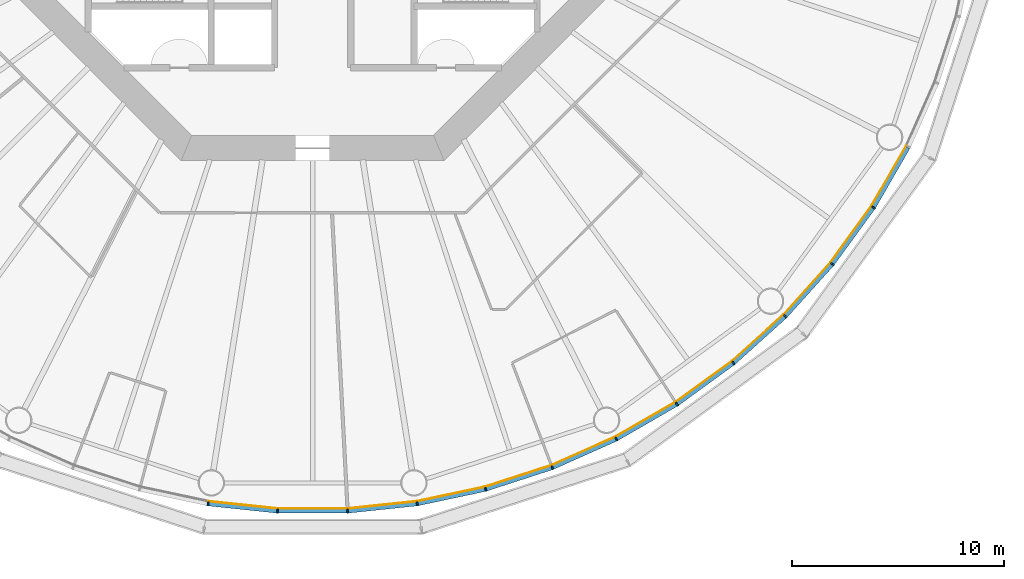
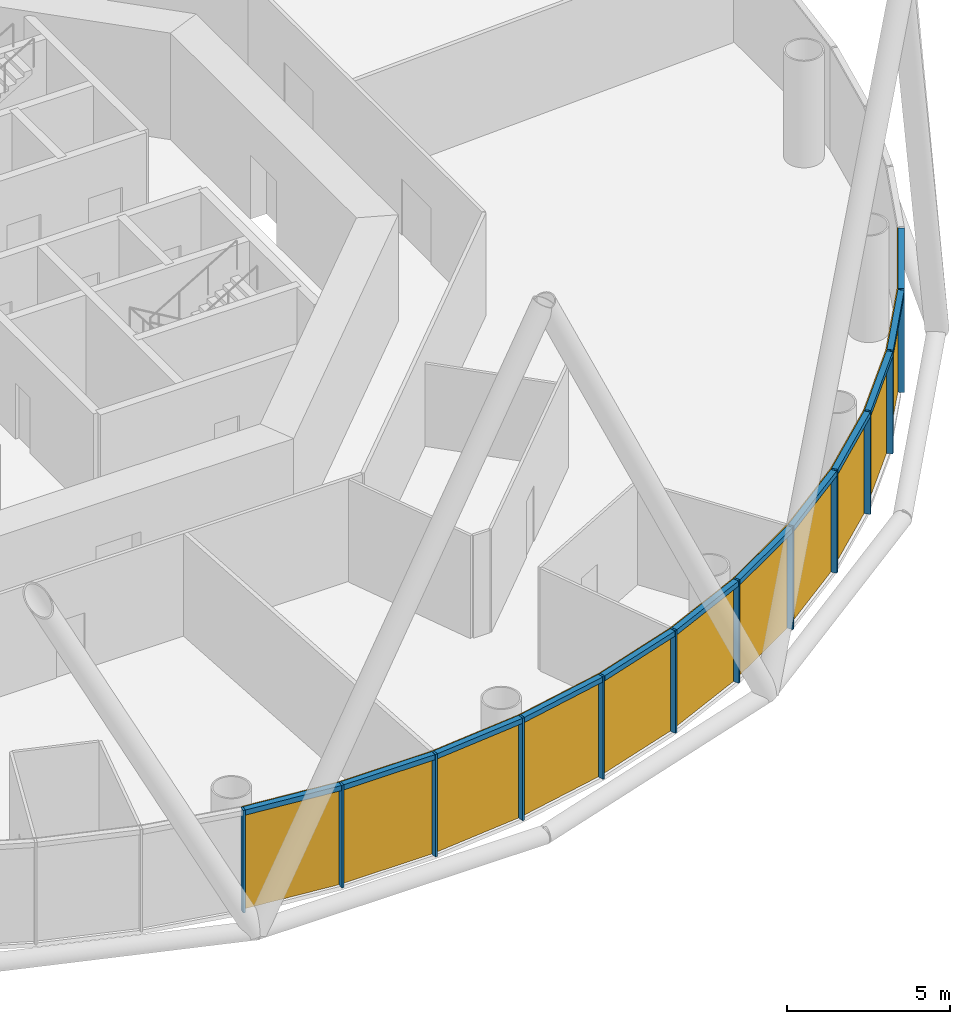
# One storey, part 8 of 13: 24 members, 4 curtain walls.
"""IFC4 building model written with IfcOpenShell, lengths in metres."""

import ifcopenshell
import ifcopenshell.guid

model = None  # the IFC model being written
_history = None  # IfcOwnerHistory: only IFC2X3 demands one
_inside = {}  # id of a spatial element -> (the spatial element, [elements in it])
_under = {}  # id of a project, library or spatial element -> (it, [spatial elements below it])
_declared = {}  # id of a project -> (the project, [libraries it declares])
_typed = {}  # id of a type object -> (the type object, [elements of that type])
_made_of = {}  # id of a material, layer set ... -> (it, [elements and type objects made of it])


def new_model(schema):
    """Start an empty IFC model of exactly this schema.

    Asked for "IFC4X3", IfcOpenShell would pick the latest addendum, in which some entities
    have other attributes; the version numbers below select the first issue.
    IFC2X3 requires an IfcOwnerHistory on every rooted entity: one is made here for all.
    """
    global model, _history
    if schema == "IFC4X3":
        model = ifcopenshell.file(schema_version=(4, 3, 0, 0))
    else:
        model = ifcopenshell.file(schema=schema)
    _inside.clear()
    _under.clear()
    _declared.clear()
    _typed.clear()
    _made_of.clear()
    _history = None
    if model.schema == "IFC2X3":
        org = make("IfcOrganization", Name="unknown")
        user = make(
            "IfcPersonAndOrganization",
            ThePerson=make("IfcPerson", FamilyName="unknown"),
            TheOrganization=org,
        )
        app = make(
            "IfcApplication",
            ApplicationDeveloper=org,
            Version="unknown",
            ApplicationFullName="unknown",
            ApplicationIdentifier="unknown",
        )
        _history = make(
            "IfcOwnerHistory",
            OwningUser=user,
            OwningApplication=app,
            ChangeAction="ADDED",
            CreationDate=0,
        )
    return model


def make(cls, **values):
    """One entity of the class cls with the attributes given. An attribute that is None is left unset."""
    return model.create_entity(
        cls, **{name: value for name, value in values.items() if value is not None}
    )


def rooted(cls, **values):
    """An entity with a GlobalId (a new one), such as an element, a storey or a relation."""
    return make(cls, GlobalId=ifcopenshell.guid.new(), OwnerHistory=_history, **values)


def si_unit(unit_type, name, prefix=None):
    """IfcSIUnit, for example si_unit("LENGTHUNIT", "METRE", prefix="MILLI")."""
    return make("IfcSIUnit", UnitType=unit_type, Prefix=prefix, Name=name)


def assignment(units):
    """IfcUnitAssignment: the units of a project."""
    return None if units is None else make("IfcUnitAssignment", Units=units)


def point(xyz):
    """IfcCartesianPoint."""
    return None if xyz is None else make("IfcCartesianPoint", Coordinates=xyz)


def direction(xyz):
    """IfcDirection."""
    return None if xyz is None else make("IfcDirection", DirectionRatios=xyz)


def frame(location, z_axis=None, x_axis=None):
    """IfcAxis2Placement3D, a coordinate frame: its origin and axes. An axis left out is left unset."""
    return make(
        "IfcAxis2Placement3D",
        Location=point(location),
        Axis=direction(z_axis),
        RefDirection=direction(x_axis),
    )


def frame_2d(location, x_axis=None):
    """IfcAxis2Placement2D, a coordinate frame in the plane: its origin and x axis."""
    return make(
        "IfcAxis2Placement2D", Location=point(location), RefDirection=direction(x_axis)
    )


def origin():
    """The frame at (0, 0, 0) with its axes left unset."""
    return frame((0.0, 0.0, 0.0))


def origin_2d():
    """The frame at (0, 0) in the plane with its x axis left unset."""
    return frame_2d((0.0, 0.0))


def place(relative_to, where):
    """IfcLocalPlacement: puts the frame where relative to a parent placement (None: the world)."""
    return make(
        "IfcLocalPlacement", PlacementRelTo=relative_to, RelativePlacement=where
    )


def context(
    kind, dimensions, precision=None, world=None, true_north=None, identifier=None
):
    """IfcGeometricRepresentationContext, for example the 3D "Model" context."""
    return make(
        "IfcGeometricRepresentationContext",
        ContextIdentifier=identifier,
        ContextType=kind,
        CoordinateSpaceDimension=dimensions,
        Precision=precision,
        WorldCoordinateSystem=world,
        TrueNorth=true_north,
    )


def subcontext(parent, identifier, kind, view, scale=None):
    """IfcGeometricRepresentationSubContext, for example "Body" below "Model"."""
    return make(
        "IfcGeometricRepresentationSubContext",
        ContextIdentifier=identifier,
        ContextType=kind,
        ParentContext=parent,
        TargetScale=scale,
        TargetView=view,
    )


def project(units=None, contexts=None):
    """IfcProject with its units and contexts."""
    return rooted(
        "IfcProject",
        Name="project",
        RepresentationContexts=contexts,
        UnitsInContext=assignment(units),
    )


def spatial(cls, under=None, at=None, **own):
    """A site, building, storey or space (cls), placed at a placement, below another one or the project."""
    s = rooted(cls, ObjectPlacement=at, **own)
    if under is not None:
        _under.setdefault(under.id(), (under, []))[1].append(s)
    return s


def polyline(points):
    """IfcPolyline through the points."""
    return make("IfcPolyline", Points=[point(p) for p in points])


def profile(cls, at=None, kind="AREA", **sizes):
    """A parametric profile (cls). Its sizes go by their IFC names, for example OverallWidth=200.0."""
    return make(cls, ProfileType=kind, Position=at, **sizes)


def rectangle(**sizes):
    """IfcRectangleProfileDef."""
    return profile("IfcRectangleProfileDef", **sizes)


def outline(outer, holes=None, kind="AREA"):
    """IfcArbitraryClosedProfileDef: a profile drawn as a closed curve; with holes, ...WithVoids."""
    if holes is None:
        return make("IfcArbitraryClosedProfileDef", ProfileType=kind, OuterCurve=outer)
    return make(
        "IfcArbitraryProfileDefWithVoids",
        ProfileType=kind,
        OuterCurve=outer,
        InnerCurves=holes,
    )


def extrude(swept, where, along, depth):
    """IfcExtrudedAreaSolid: the profile swept, set in the frame where, extruded along a direction by depth."""
    return make(
        "IfcExtrudedAreaSolid",
        SweptArea=swept,
        Position=where,
        ExtrudedDirection=direction(along),
        Depth=depth,
    )


def shape(context_of_items, identifier, shape_type, items):
    """IfcShapeRepresentation: the items that make up one representation, for example the "Body"."""
    return make(
        "IfcShapeRepresentation",
        ContextOfItems=context_of_items,
        RepresentationIdentifier=identifier,
        RepresentationType=shape_type,
        Items=items,
    )


def material(Name=None, Category=None):
    """IfcMaterial."""
    return make("IfcMaterial", Name=Name, Category=Category)


def layer(
    of_material, thickness, ventilated=None, Name=None, Category=None, Priority=None
):
    """IfcMaterialLayer: one layer of a wall or slab, of a material (None: an air gap)."""
    return make(
        "IfcMaterialLayer",
        Material=of_material,
        LayerThickness=thickness,
        IsVentilated=ventilated,
        Name=Name,
        Category=Category,
        Priority=Priority,
    )


def layer_set(layers, Name=None):
    """IfcMaterialLayerSet."""
    return make("IfcMaterialLayerSet", MaterialLayers=layers, LayerSetName=Name)


def material_profile(
    of_material, cross_section, Name=None, Category=None, Priority=None
):
    """IfcMaterialProfile: a cross section and its material."""
    return make(
        "IfcMaterialProfile",
        Name=Name,
        Material=of_material,
        Profile=cross_section,
        Priority=Priority,
        Category=Category,
    )


def profile_set(profiles, Name=None, composite=None):
    """IfcMaterialProfileSet."""
    return make(
        "IfcMaterialProfileSet",
        Name=Name,
        MaterialProfiles=profiles,
        CompositeProfile=composite,
    )


def made_of(thing, what):
    """Note that an element or type object is made of a material, layer set ...; save() writes the relation."""
    if what is not None:
        _made_of.setdefault(what.id(), (what, []))[1].append(thing)
    return thing


def type_object(cls, material=None, **own):
    """A type object (cls), such as IfcWallType, which elements share."""
    return made_of(rooted(cls, **own), material)


def element(
    cls,
    number,
    at=None,
    inside=None,
    cuts=None,
    type_object=None,
    material=None,
    context=None,
    identifier="Body",
    shape_type=None,
    held_by="IfcProductDefinitionShape",
    body=None,
    shapes=None,
    **own,
):
    """One element of the class cls, such as IfcWall. Its Tag is "e" and its number.

    at: its placement. inside: the storey or other place that contains it. cuts: it is an
    opening in that element (IfcRelVoidsElement). A single representation is given by context,
    identifier, shape_type and body (its items); several are given by shapes. held_by: the class
    of the entity that holds the representations. save() writes the other relations.
    """
    e = rooted(cls, Tag="e%d" % number, ObjectPlacement=at, **own)
    if body is not None:
        shapes = [shape(context, identifier, shape_type, body)]
    if shapes is not None:
        e.Representation = make(held_by, Representations=shapes)
    if inside is not None:
        _inside.setdefault(inside.id(), (inside, []))[1].append(e)
    if cuts is not None:
        rooted(
            "IfcRelVoidsElement", RelatingBuildingElement=cuts, RelatedOpeningElement=e
        )
    if type_object is not None:
        _typed.setdefault(type_object.id(), (type_object, []))[1].append(e)
    return made_of(e, material)


def aggregate(whole, parts):
    """IfcRelAggregates: a whole, such as a stair, and the parts it consists of."""
    return rooted("IfcRelAggregates", RelatingObject=whole, RelatedObjects=parts)


def save(model, path):
    """Write the relations noted so far, then the file.

    IfcRelAggregates (storeys below a building ...), IfcRelContainedInSpatialStructure (elements
    in a storey), IfcRelDefinesByType, IfcRelAssociatesMaterial and IfcRelDeclares: one each for
    every whole, place, type object, material and project.
    """
    for whole, parts in _under.values():
        aggregate(whole, parts)
    for where, things in _inside.values():
        rooted(
            "IfcRelContainedInSpatialStructure",
            RelatedElements=things,
            RelatingStructure=where,
        )
    for kind, things in _typed.values():
        rooted("IfcRelDefinesByType", RelatedObjects=things, RelatingType=kind)
    for what, things in _made_of.values():
        rooted("IfcRelAssociatesMaterial", RelatedObjects=things, RelatingMaterial=what)
    for by, libraries in _declared.values():
        rooted("IfcRelDeclares", RelatingContext=by, RelatedDefinitions=libraries)
    model.write(path)


model = new_model("IFC4")

# Units and contexts
model_context = context("Model", 3, precision=1e-05, world=origin(), true_north=direction((0.0, 1.0)))
body_context = subcontext(model_context, "Body", "Model", "MODEL_VIEW")
ifc_project = project(units=[si_unit("LENGTHUNIT", "METRE"), si_unit("AREAUNIT", "SQUARE_METRE"), si_unit("VOLUMEUNIT", "CUBIC_METRE"), si_unit("PLANEANGLEUNIT", "RADIAN"), si_unit("MASSUNIT", "GRAM", prefix="KILO")], contexts=[model_context])

# Member
ifc_material_1 = material(Name="Anodised aluminium", Category="aluminium")
ifc_material_profile_1 = material_profile(ifc_material_1, rectangle(XDim=0.070068359375, YDim=0.199951171875, at=origin_2d()), Name="Mullion 70 x 200 mm anodised aluminium")
ifc_profile_set_1 = profile_set([ifc_material_profile_1], Name="Anodised aluminium")
member_type_1 = type_object("IfcMemberType", Name="Mullion 70 x 200 mm anodised aluminium", PredefinedType="MULLION", material=ifc_profile_set_1)
site_placement = place(None, origin())
building_placement = place(site_placement, origin())
storey_placement = place(building_placement, frame((0.0, 0.0, 96.0)))
member_1_placement = place(storey_placement, frame((85.056640625, 48.7890625, 0.0), z_axis=(0.0, 0.0, 1.0), x_axis=(0.987688340595, -0.15643446504, 0.0)))
member_1 = element("IfcMember", 1, at=member_1_placement, type_object=member_type_1, Name="MULLION L21-42", PredefinedType="MULLION", context=body_context, shape_type="SweptSolid", body=[
    extrude(rectangle(XDim=0.070068359375, YDim=0.199951171875, at=origin_2d()), origin(), (0.0, 0.0, 1.0), 3.85009765625),
])

member_2_placement = place(storey_placement, frame((88.34619140625, 48.443359375, 0.0), z_axis=(0.0, 0.0, 1.0), x_axis=(0.998629534755, -0.052335956243, 0.0)))
member_2 = element("IfcMember", 2, at=member_2_placement, type_object=member_type_1, Name="MULLION L21-43", PredefinedType="MULLION", context=body_context, shape_type="SweptSolid", body=[
    extrude(rectangle(XDim=0.070068359375, YDim=0.199951171875, at=origin_2d()), origin(), (0.0, 0.0, 1.0), 3.85009765625),
])

member_3_placement = place(storey_placement, frame((91.65380859375, 48.443359375, 0.0), z_axis=(0.0, 0.0, 1.0), x_axis=(0.998629534755, 0.052335956243, 0.0)))
member_3 = element("IfcMember", 3, at=member_3_placement, type_object=member_type_1, Name="MULLION L21-44", PredefinedType="MULLION", context=body_context, shape_type="SweptSolid", body=[
    extrude(rectangle(XDim=0.070068359375, YDim=0.199951171875, at=origin_2d()), origin(), (0.0, 0.0, 1.0), 3.85009765625),
])

member_4_placement = place(storey_placement, frame((94.943359375, 48.7890625, 0.0), z_axis=(0.0, 0.0, 1.0), x_axis=(0.987688340595, 0.15643446504, 0.0)))
member_4 = element("IfcMember", 4, at=member_4_placement, type_object=member_type_1, Name="MULLION L21-45", PredefinedType="MULLION", context=body_context, shape_type="SweptSolid", body=[
    extrude(rectangle(XDim=0.070068359375, YDim=0.199951171875, at=origin_2d()), origin(), (0.0, 0.0, 1.0), 3.85009765625),
])

member_5_placement = place(storey_placement, frame((98.1787109375, 49.476806640625, 0.0), z_axis=(0.0, 0.0, 1.0), x_axis=(0.965925826289, 0.258819045103, 0.0)))
member_5 = element("IfcMember", 5, at=member_5_placement, type_object=member_type_1, Name="MULLION L21-46", PredefinedType="MULLION", context=body_context, shape_type="SweptSolid", body=[
    extrude(rectangle(XDim=0.070068359375, YDim=0.199951171875, at=origin_2d()), origin(), (0.0, 0.0, 1.0), 3.85009765625),
])

member_6_placement = place(storey_placement, frame((101.324462890625, 50.498779296875, 0.0), z_axis=(0.0, 0.0, 1.0), x_axis=(0.933580426497, 0.358367949545, 0.0)))
member_6 = element("IfcMember", 6, at=member_6_placement, type_object=member_type_1, Name="MULLION L21-47", PredefinedType="MULLION", context=body_context, shape_type="SweptSolid", body=[
    extrude(rectangle(XDim=0.070068359375, YDim=0.199951171875, at=origin_2d()), origin(), (0.0, 0.0, 1.0), 3.85009765625),
])

member_7_placement = place(storey_placement, frame((104.34619140625, 51.84423828125, 0.0), z_axis=(0.0, 0.0, 1.0), x_axis=(0.891006524188, 0.45399049974, 0.0)))
member_7 = element("IfcMember", 7, at=member_7_placement, type_object=member_type_1, Name="MULLION L21-48", PredefinedType="MULLION", context=body_context, shape_type="SweptSolid", body=[
    extrude(rectangle(XDim=0.070068359375, YDim=0.199951171875, at=origin_2d()), origin(), (0.0, 0.0, 1.0), 3.85009765625),
])

member_8_placement = place(storey_placement, frame((107.210693359375, 53.498046875, 0.0), z_axis=(0.0, 0.0, 1.0), x_axis=(0.838670567945, 0.544639035015, 0.0)))
member_8 = element("IfcMember", 8, at=member_8_placement, type_object=member_type_1, Name="MULLION L21-49", PredefinedType="MULLION", context=body_context, shape_type="SweptSolid", body=[
    extrude(rectangle(XDim=0.070068359375, YDim=0.199951171875, at=origin_2d()), origin(), (0.0, 0.0, 1.0), 3.85009765625),
])

member_9_placement = place(storey_placement, frame((109.886474609375, 55.442138671875, 0.0), z_axis=(0.0, 0.0, 1.0), x_axis=(0.777145961457, 0.62932039105, 0.0)))
member_9 = element("IfcMember", 9, at=member_9_placement, type_object=member_type_1, Name="MULLION L21-50", PredefinedType="MULLION", context=body_context, shape_type="SweptSolid", body=[
    extrude(rectangle(XDim=0.070068359375, YDim=0.199951171875, at=origin_2d()), origin(), (0.0, 0.0, 1.0), 3.85009765625),
])

member_10_placement = place(storey_placement, frame((112.344482421875, 57.655517578125, 0.0), z_axis=(0.0, 0.0, 1.0), x_axis=(0.707106781187, 0.707106781187, 0.0)))
member_10 = element("IfcMember", 10, at=member_10_placement, type_object=member_type_1, Name="MULLION L21-51", PredefinedType="MULLION", context=body_context, shape_type="SweptSolid", body=[
    extrude(rectangle(XDim=0.070068359375, YDim=0.199951171875, at=origin_2d()), origin(), (0.0, 0.0, 1.0), 3.85009765625),
])

member_11_placement = place(storey_placement, frame((114.557861328125, 60.113525390625, 0.0), z_axis=(0.0, 0.0, 1.0), x_axis=(0.62932039105, 0.777145961457, 0.0)))
member_11 = element("IfcMember", 11, at=member_11_placement, type_object=member_type_1, Name="MULLION L21-52", PredefinedType="MULLION", context=body_context, shape_type="SweptSolid", body=[
    extrude(rectangle(XDim=0.070068359375, YDim=0.199951171875, at=origin_2d()), origin(), (0.0, 0.0, 1.0), 3.85009765625),
])

member_12_placement = place(storey_placement, frame((116.501953125, 62.789306640625, 0.0), z_axis=(0.0, 0.0, 1.0), x_axis=(0.544639035015, 0.838670567945, 0.0)))
member_12 = element("IfcMember", 12, at=member_12_placement, type_object=member_type_1, Name="MULLION L21-53", PredefinedType="MULLION", context=body_context, shape_type="SweptSolid", body=[
    extrude(rectangle(XDim=0.070068359375, YDim=0.199951171875, at=origin_2d()), origin(), (0.0, 0.0, 1.0), 3.85009765625),
])

ifc_material_2 = material(Name="Anodised aluminium", Category="aluminium")
ifc_material_profile_2 = material_profile(ifc_material_2, rectangle(XDim=0.199951171875, YDim=0.18994140625, at=origin_2d()), Name="Transom 190 x 200 mm anodised aluminium")
ifc_profile_set_2 = profile_set([ifc_material_profile_2], Name="Anodised aluminium")
member_type_2 = type_object("IfcMemberType", Name="Transom 190 x 200 mm anodised aluminium", PredefinedType="USERDEFINED", material=ifc_profile_set_2)
member_13_placement = place(storey_placement, frame((85.0966796875, 48.78466796875, 3.7548828125), z_axis=(0.994519537956, -0.104550890115, 0.0), x_axis=(0.104550890115, 0.994519537956, 0.0)))
member_13 = element("IfcMember", 13, at=member_13_placement, type_object=member_type_2, Name="TRANSOM L21-42", ObjectType="TRANSOM", PredefinedType="USERDEFINED", context=body_context, shape_type="SweptSolid", body=[
    extrude(rectangle(XDim=0.199951171875, YDim=0.18994140625, at=origin_2d()), origin(), (0.0, 0.0, 1.0), 3.22705078125),
])

member_14_placement = place(storey_placement, frame((88.386474609375, 48.443115234375, 3.7548828125), z_axis=(1.0, 0.0, 0.0), x_axis=(0.0, 1.0, 0.0)))
member_14 = element("IfcMember", 14, at=member_14_placement, type_object=member_type_2, Name="TRANSOM L21-43", ObjectType="TRANSOM", PredefinedType="USERDEFINED", context=body_context, shape_type="SweptSolid", body=[
    extrude(rectangle(XDim=0.199951171875, YDim=0.18994140625, at=origin_2d()), origin(), (0.0, 0.0, 1.0), 3.22705078125),
])

member_15_placement = place(storey_placement, frame((91.69384765625, 48.447265625, 3.7548828125), z_axis=(0.994519537956, 0.104550890115, 0.0), x_axis=(-0.104550890115, 0.994519537956, 0.0)))
member_15 = element("IfcMember", 15, at=member_15_placement, type_object=member_type_2, Name="TRANSOM L21-44", ObjectType="TRANSOM", PredefinedType="USERDEFINED", context=body_context, shape_type="SweptSolid", body=[
    extrude(rectangle(XDim=0.199951171875, YDim=0.18994140625, at=origin_2d()), origin(), (0.0, 0.0, 1.0), 3.22705078125),
])

member_16_placement = place(storey_placement, frame((94.982666015625, 48.79736328125, 3.7548828125), z_axis=(0.978153082647, 0.207885898771, 0.0), x_axis=(-0.207885898771, 0.978153082647, 0.0)))
member_16 = element("IfcMember", 16, at=member_16_placement, type_object=member_type_2, Name="TRANSOM L21-45", ObjectType="TRANSOM", PredefinedType="USERDEFINED", context=body_context, shape_type="SweptSolid", body=[
    extrude(rectangle(XDim=0.199951171875, YDim=0.18994140625, at=origin_2d()), origin(), (0.0, 0.0, 1.0), 3.227294921875),
])

member_17_placement = place(storey_placement, frame((98.217041015625, 49.489013671875, 3.7548828125), z_axis=(0.951046855117, 0.309046726844, 0.0), x_axis=(-0.309046726844, 0.951046855117, 0.0)))
member_17 = element("IfcMember", 17, at=member_17_placement, type_object=member_type_2, Name="TRANSOM L21-46", ObjectType="TRANSOM", PredefinedType="USERDEFINED", context=body_context, shape_type="SweptSolid", body=[
    extrude(rectangle(XDim=0.199951171875, YDim=0.18994140625, at=origin_2d()), origin(), (0.0, 0.0, 1.0), 3.22705078125),
])

member_18_placement = place(storey_placement, frame((101.361328125, 50.51513671875, 3.7548828125), z_axis=(0.913549291349, 0.406728032322, 0.0), x_axis=(-0.406728032322, 0.913549291349, 0.0)))
member_18 = element("IfcMember", 18, at=member_18_placement, type_object=member_type_2, Name="TRANSOM L21-47", ObjectType="TRANSOM", PredefinedType="USERDEFINED", context=body_context, shape_type="SweptSolid", body=[
    extrude(rectangle(XDim=0.199951171875, YDim=0.18994140625, at=origin_2d()), origin(), (0.0, 0.0, 1.0), 3.22705078125),
])

member_19_placement = place(storey_placement, frame((104.381103515625, 51.8642578125, 3.7548828125), z_axis=(0.866023062494, 0.500004055213, 0.0), x_axis=(-0.500004055213, 0.866023062494, 0.0)))
member_19 = element("IfcMember", 19, at=member_19_placement, type_object=member_type_2, Name="TRANSOM L21-48", ObjectType="TRANSOM", PredefinedType="USERDEFINED", context=body_context, shape_type="SweptSolid", body=[
    extrude(rectangle(XDim=0.199951171875, YDim=0.18994140625, at=origin_2d()), origin(), (0.0, 0.0, 1.0), 3.22705078125),
])

member_20_placement = place(storey_placement, frame((107.2431640625, 53.521484375, 3.7548828125), z_axis=(0.809004252048, 0.587802790201, 0.0), x_axis=(-0.587802790201, 0.809004252048, 0.0)))
member_20 = element("IfcMember", 20, at=member_20_placement, type_object=member_type_2, Name="TRANSOM L21-49", ObjectType="TRANSOM", PredefinedType="USERDEFINED", context=body_context, shape_type="SweptSolid", body=[
    extrude(rectangle(XDim=0.199951171875, YDim=0.18994140625, at=origin_2d()), origin(), (0.0, 0.0, 1.0), 3.227294921875),
])

member_21_placement = place(storey_placement, frame((109.91650390625, 55.468994140625, 3.7548828125), z_axis=(0.743132370743, 0.669144438484, 0.0), x_axis=(-0.669144438484, 0.743132370743, 0.0)))
member_21 = element("IfcMember", 21, at=member_21_placement, type_object=member_type_2, Name="TRANSOM L21-50", ObjectType="TRANSOM", PredefinedType="USERDEFINED", context=body_context, shape_type="SweptSolid", body=[
    extrude(rectangle(XDim=0.199951171875, YDim=0.18994140625, at=origin_2d()), origin(), (0.0, 0.0, 1.0), 3.22705078125),
])

member_22_placement = place(storey_placement, frame((112.37158203125, 57.685302734375, 3.7548828125), z_axis=(0.669144438484, 0.743132370743, 0.0), x_axis=(-0.743132370743, 0.669144438484, 0.0)))
member_22 = element("IfcMember", 22, at=member_22_placement, type_object=member_type_2, Name="TRANSOM L21-51", ObjectType="TRANSOM", PredefinedType="USERDEFINED", context=body_context, shape_type="SweptSolid", body=[
    extrude(rectangle(XDim=0.199951171875, YDim=0.18994140625, at=origin_2d()), origin(), (0.0, 0.0, 1.0), 3.22705078125),
])

member_23_placement = place(storey_placement, frame((114.58154296875, 60.14599609375, 3.7548828125), z_axis=(0.587802790201, 0.809004252048, 0.0), x_axis=(-0.809004252048, 0.587802790201, 0.0)))
member_23 = element("IfcMember", 23, at=member_23_placement, type_object=member_type_2, Name="TRANSOM L21-52", ObjectType="TRANSOM", PredefinedType="USERDEFINED", context=body_context, shape_type="SweptSolid", body=[
    extrude(rectangle(XDim=0.199951171875, YDim=0.18994140625, at=origin_2d()), origin(), (0.0, 0.0, 1.0), 3.227294921875),
])

member_24_placement = place(storey_placement, frame((116.522216796875, 62.82421875, 3.7548828125), z_axis=(0.500004055213, 0.866023062494, 0.0), x_axis=(-0.866023062494, 0.500004055213, 0.0)))
member_24 = element("IfcMember", 24, at=member_24_placement, type_object=member_type_2, Name="TRANSOM L21-53", ObjectType="TRANSOM", PredefinedType="USERDEFINED", context=body_context, shape_type="SweptSolid", body=[
    extrude(rectangle(XDim=0.199951171875, YDim=0.18994140625, at=origin_2d()), origin(), (0.0, 0.0, 1.0), 3.22705078125),
])

# Site, building, storey
site = spatial("IfcSite", under=ifc_project, at=site_placement, CompositionType="ELEMENT")
building = spatial("IfcBuilding", under=site, at=building_placement, Name="Entoto Ring Tower", CompositionType="ELEMENT")
storey = spatial("IfcBuildingStorey", under=building, at=storey_placement, Name="L21", CompositionType="ELEMENT", Elevation=96.0)

# Curtain wall
ifc_material_3 = material(Name="Clear low-iron glass", Category="glass")
ifc_layer = layer(ifc_material_3, 0.035888671875)
ifc_layer_set = layer_set([ifc_layer], Name="Clear low-iron glass")
curtain_wall_type = type_object("IfcCurtainWallType", Name="Curtain wall system CW2 glazing 36 mm", PredefinedType="NOTDEFINED", material=ifc_layer_set)
curtain_wall_1_placement = place(storey_placement, origin())
curtain_wall_1 = element("IfcCurtainWall", 25, at=curtain_wall_1_placement, inside=storey, type_object=curtain_wall_type, Name="CW2 L21-15", PredefinedType="NOTDEFINED", context=body_context, shape_type="SweptSolid", body=[
    extrude(outline(polyline([(85.072265625, 48.8876953125), (88.351318359375, 48.543212890625), (91.648681640625, 48.543212890625), (94.927734375, 48.8876953125), (94.922119140625, 48.92333984375), (91.646728515625, 48.5791015625), (88.353271484375, 48.5791015625), (85.077880859375, 48.92333984375), (85.072265625, 48.8876953125)])), origin(), (0.0, 0.0, 1.0), 3.85009765625),
])

aggregate(curtain_wall_1, [member_1, member_2, member_3, member_13, member_14, member_15])

curtain_wall_2_placement = place(storey_placement, origin())
curtain_wall_2 = element("IfcCurtainWall", 26, at=curtain_wall_2_placement, inside=storey, type_object=curtain_wall_type, Name="CW2 L21-16", PredefinedType="NOTDEFINED", context=body_context, shape_type="SweptSolid", body=[
    extrude(outline(polyline([(94.927734375, 48.8876953125), (98.15283203125, 49.5732421875), (101.28857421875, 50.59228515625), (104.30078125, 51.933349609375), (104.284423828125, 51.96533203125), (101.275634765625, 50.6259765625), (98.1435546875, 49.608154296875), (94.922119140625, 48.92333984375), (94.927734375, 48.8876953125)])), origin(), (0.0, 0.0, 1.0), 3.85009765625),
])

aggregate(curtain_wall_2, [member_4, member_5, member_6, member_16, member_17, member_18])

curtain_wall_3_placement = place(storey_placement, origin())
curtain_wall_3 = element("IfcCurtainWall", 27, at=curtain_wall_3_placement, inside=storey, type_object=curtain_wall_type, Name="CW2 L21-17", PredefinedType="NOTDEFINED", context=body_context, shape_type="SweptSolid", body=[
    extrude(outline(polyline([(104.30078125, 51.933349609375), (107.15625, 53.581787109375), (109.823486328125, 55.52001953125), (112.27392578125, 57.72607421875), (112.248291015625, 57.751708984375), (109.801025390625, 55.5478515625), (107.136474609375, 53.612060546875), (104.284423828125, 51.96533203125), (104.30078125, 51.933349609375)])), origin(), (0.0, 0.0, 1.0), 3.85009765625),
])

aggregate(curtain_wall_3, [member_7, member_8, member_9, member_19, member_20, member_21])

curtain_wall_4_placement = place(storey_placement, origin())
curtain_wall_4 = element("IfcCurtainWall", 28, at=curtain_wall_4_placement, inside=storey, type_object=curtain_wall_type, Name="CW2 L21-18", PredefinedType="NOTDEFINED", context=body_context, shape_type="SweptSolid", body=[
    extrude(outline(polyline([(112.27392578125, 57.72607421875), (114.47998046875, 60.176513671875), (116.418212890625, 62.84375), (118.066650390625, 65.69921875), (118.03466796875, 65.715576171875), (116.387939453125, 62.863525390625), (114.4521484375, 60.198974609375), (112.248291015625, 57.751708984375), (112.27392578125, 57.72607421875)])), origin(), (0.0, 0.0, 1.0), 3.85009765625),
])

aggregate(curtain_wall_4, [member_10, member_11, member_12, member_22, member_23, member_24])

save(model, "model.ifc")
